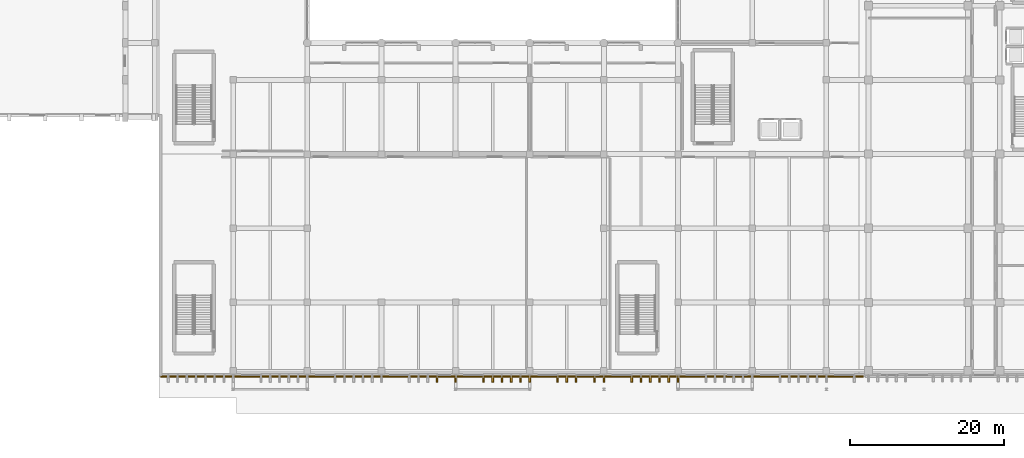
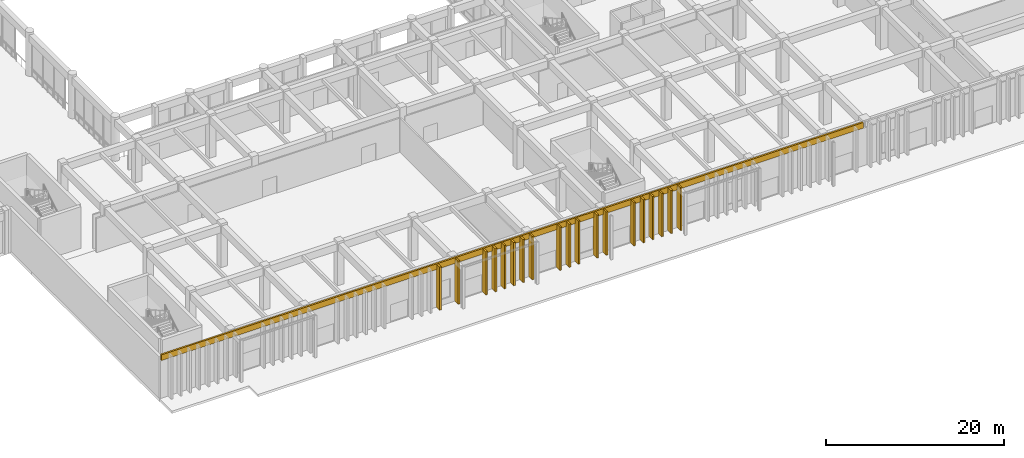
# One storey, part 64 of 87: 20 coverings, 19 shading devices.
"""IFC4 building model written with IfcOpenShell, lengths in metres."""

from ifc_helpers import new_model, si_unit, direction, frame, origin, origin_2d, place, context, subcontext, project, spatial, rectangle, extrude, material, layer, layer_set, type_object, element, save


model = new_model("IFC4")

# Units and contexts
model_context = context("Model", 3, precision=1e-05, world=origin(), true_north=direction((0.0, 1.0)))
body_context = subcontext(model_context, "Body", "Model", "MODEL_VIEW")
ifc_project = project(units=[si_unit("LENGTHUNIT", "METRE"), si_unit("AREAUNIT", "SQUARE_METRE"), si_unit("VOLUMEUNIT", "CUBIC_METRE"), si_unit("PLANEANGLEUNIT", "RADIAN"), si_unit("MASSUNIT", "GRAM", prefix="KILO")], contexts=[model_context])

# Site, building, storey
site_placement = place(None, origin())
site = spatial("IfcSite", under=ifc_project, at=site_placement, CompositionType="ELEMENT")
building_placement = place(site_placement, origin())
building = spatial("IfcBuilding", under=site, at=building_placement, Name="Nakhvara Creek Congress Hotel", CompositionType="ELEMENT")
storey_placement = place(building_placement, origin())
storey = spatial("IfcBuildingStorey", under=building, at=storey_placement, Name="L00", CompositionType="ELEMENT", Elevation=0.0)

# Coverings
ifc_material_1 = material(Name="Honed pale Omani limestone architectural cladding", Category="masonry")
ifc_layer_1 = layer(ifc_material_1, 0.219970703125)
ifc_layer_set_1 = layer_set([ifc_layer_1], Name="Honed pale Omani limestone architectural cladding")
covering_type_1 = type_object("IfcCoveringType", Name="COV-FIN-850", PredefinedType="CLADDING", material=ifc_layer_set_1)
for number, where, z_axis, x_axis, name in (
    (1, (93.60009765625, -0.304931640625, 0.0), (0.0, 0.0, 1.0), (1.0, 0.0, 0.0), "Pale Limestone Fin Cladding CF01-0065"),
    (2, (96.0, -0.304931640625, 0.0), (0.0, 0.0, 1.0), (1.0, 0.0, 0.0), "Pale Limestone Fin Cladding CF01-0066"),
    (3, (99.60009765625, -0.304931640625, 0.0), (0.0, 0.0, 1.0), (1.0, 0.0, 0.0), "Pale Limestone Fin Cladding CF01-0067"),
    (4, (100.800048828125, -0.304931640625, 0.0), (0.0, 0.0, 1.0), (1.0, 0.0, 0.0), "Pale Limestone Fin Cladding CF01-0068"),
    (5, (102.0, -0.304931640625, 0.0), (0.0, 0.0, 1.0), (1.0, 0.0, 0.0), "Pale Limestone Fin Cladding CF01-0069"),
    (6, (103.199951171875, -0.304931640625, 0.0), (0.0, 0.0, 1.0), (1.0, 0.0, 0.0), "Pale Limestone Fin Cladding CF01-0070"),
    (7, (104.39990234375, -0.304931640625, 0.0), (0.0, 0.0, 1.0), (1.0, 0.0, 0.0), "Pale Limestone Fin Cladding CF01-0071"),
    (8, (105.60009765625, -0.304931640625, 0.0), (0.0, 0.0, 1.0), (1.0, 0.0, 0.0), "Pale Limestone Fin Cladding CF01-0072"),
    (9, (109.199951171875, -0.304931640625, 0.0), (0.0, 0.0, 1.0), (1.0, 0.0, 0.0), "Pale Limestone Fin Cladding CF01-0073"),
    (10, (110.39990234375, -0.304931640625, 0.0), (0.0, 0.0, 1.0), (1.0, 0.0, 0.0), "Pale Limestone Fin Cladding CF01-0074"),
    (11, (111.60009765625, -0.304931640625, 0.0), (0.0, 0.0, 1.0), (1.0, 0.0, 0.0), "Pale Limestone Fin Cladding CF01-0075"),
    (12, (114.0, -0.304931640625, 0.0), (0.0, 0.0, 1.0), (1.0, 0.0, 0.0), "Pale Limestone Fin Cladding CF01-0076"),
    (13, (115.199951171875, -0.304931640625, 0.0), (0.0, 0.0, 1.0), (1.0, 0.0, 0.0), "Pale Limestone Fin Cladding CF01-0077"),
    (14, (118.800048828125, -0.304931640625, 0.0), (0.0, 0.0, 1.0), (1.0, 0.0, 0.0), "Pale Limestone Fin Cladding CF01-0078"),
    (15, (120.0, -0.304931640625, 0.0), (0.0, 0.0, 1.0), (1.0, 0.0, 0.0), "Pale Limestone Fin Cladding CF01-0079"),
    (16, (121.199951171875, -0.304931640625, 0.0), (0.0, 0.0, 1.0), (1.0, 0.0, 0.0), "Pale Limestone Fin Cladding CF01-0080"),
    (17, (122.39990234375, -0.304931640625, 0.0), (0.0, 0.0, 1.0), (1.0, 0.0, 0.0), "Pale Limestone Fin Cladding CF01-0081"),
    (18, (123.60009765625, -0.304931640625, 0.0), (0.0, 0.0, 1.0), (1.0, 0.0, 0.0), "Pale Limestone Fin Cladding CF01-0082"),
    (19, (124.800048828125, -0.304931640625, 0.0), (0.0, 0.0, 1.0), (1.0, 0.0, 0.0), "Pale Limestone Fin Cladding CF01-0083"),
):
    element("IfcCovering", number, at=place(storey_placement, frame(where, z_axis=z_axis, x_axis=x_axis)), inside=storey, type_object=covering_type_1, Name=name, PredefinedType="CLADDING", context=body_context, shape_type="SweptSolid", body=[
        extrude(rectangle(XDim=0.219970703125, YDim=0.85009765625, at=origin_2d()), origin(), (0.0, 0.0, 1.0), 5.919921875),
    ])
ifc_layer_2 = layer(ifc_material_1, 0.179931640625)
ifc_layer_set_2 = layer_set([ifc_layer_2], Name="Honed pale Omani limestone architectural cladding")
covering_type_2 = type_object("IfcCoveringType", Name="COV-SPN-180", PredefinedType="CLADDING", material=ifc_layer_set_2)
covering_placement = place(storey_placement, frame((103.300048828125, 0.010009765625, 5.23974609375), z_axis=(0.0, 0.0, 1.0), x_axis=(1.0, 0.0, 0.0)))
element("IfcCovering", 20, at=covering_placement, inside=storey, type_object=covering_type_2, Name="Pale Limestone Spandrel Band CF02-0003", PredefinedType="CLADDING", context=body_context, shape_type="SweptSolid", body=[
    extrude(rectangle(XDim=91.0, YDim=0.219970703125, at=origin_2d()), origin(), (0.0, 0.0, 1.0), 0.780029296875),
])

# Shading devices
ifc_material_2 = material(Name="Honed pale Omani limestone cladding on stainless steel spine", Category="masonry")
shading_device_type = type_object("IfcShadingDeviceType", Name="SHD-FIN-850X5800", PredefinedType="USERDEFINED", material=ifc_material_2)
for number, where, z_axis, x_axis, name in (
    (21, (93.60009765625, -0.304931640625, 0.0), (0.0, 0.0, 1.0), (1.0, 0.0, 0.0), "Limestone Solar Fin FN03-0065"),
    (22, (96.0, -0.304931640625, 0.0), (0.0, 0.0, 1.0), (1.0, 0.0, 0.0), "Limestone Solar Fin FN03-0066"),
    (23, (99.60009765625, -0.304931640625, 0.0), (0.0, 0.0, 1.0), (1.0, 0.0, 0.0), "Limestone Solar Fin FN03-0067"),
    (24, (100.800048828125, -0.304931640625, 0.0), (0.0, 0.0, 1.0), (1.0, 0.0, 0.0), "Limestone Solar Fin FN03-0068"),
    (25, (102.0, -0.304931640625, 0.0), (0.0, 0.0, 1.0), (1.0, 0.0, 0.0), "Limestone Solar Fin FN03-0069"),
    (26, (103.199951171875, -0.304931640625, 0.0), (0.0, 0.0, 1.0), (1.0, 0.0, 0.0), "Limestone Solar Fin FN03-0070"),
    (27, (104.39990234375, -0.304931640625, 0.0), (0.0, 0.0, 1.0), (1.0, 0.0, 0.0), "Limestone Solar Fin FN03-0071"),
    (28, (105.60009765625, -0.304931640625, 0.0), (0.0, 0.0, 1.0), (1.0, 0.0, 0.0), "Limestone Solar Fin FN03-0072"),
    (29, (109.199951171875, -0.304931640625, 0.0), (0.0, 0.0, 1.0), (1.0, 0.0, 0.0), "Limestone Solar Fin FN03-0073"),
    (30, (110.39990234375, -0.304931640625, 0.0), (0.0, 0.0, 1.0), (1.0, 0.0, 0.0), "Limestone Solar Fin FN03-0074"),
    (31, (111.60009765625, -0.304931640625, 0.0), (0.0, 0.0, 1.0), (1.0, 0.0, 0.0), "Limestone Solar Fin FN03-0075"),
    (32, (114.0, -0.304931640625, 0.0), (0.0, 0.0, 1.0), (1.0, 0.0, 0.0), "Limestone Solar Fin FN03-0076"),
    (33, (115.199951171875, -0.304931640625, 0.0), (0.0, 0.0, 1.0), (1.0, 0.0, 0.0), "Limestone Solar Fin FN03-0077"),
    (34, (118.800048828125, -0.304931640625, 0.0), (0.0, 0.0, 1.0), (1.0, 0.0, 0.0), "Limestone Solar Fin FN03-0078"),
    (35, (120.0, -0.304931640625, 0.0), (0.0, 0.0, 1.0), (1.0, 0.0, 0.0), "Limestone Solar Fin FN03-0079"),
    (36, (121.199951171875, -0.304931640625, 0.0), (0.0, 0.0, 1.0), (1.0, 0.0, 0.0), "Limestone Solar Fin FN03-0080"),
    (37, (122.39990234375, -0.304931640625, 0.0), (0.0, 0.0, 1.0), (1.0, 0.0, 0.0), "Limestone Solar Fin FN03-0081"),
    (38, (123.60009765625, -0.304931640625, 0.0), (0.0, 0.0, 1.0), (1.0, 0.0, 0.0), "Limestone Solar Fin FN03-0082"),
    (39, (124.800048828125, -0.304931640625, 0.0), (0.0, 0.0, 1.0), (1.0, 0.0, 0.0), "Limestone Solar Fin FN03-0083"),
):
    element("IfcShadingDevice", number, at=place(storey_placement, frame(where, z_axis=z_axis, x_axis=x_axis)), inside=storey, type_object=shading_device_type, Name=name, ObjectType="FIN", PredefinedType="USERDEFINED", context=body_context, shape_type="SweptSolid", body=[
        extrude(rectangle(XDim=0.219970703125, YDim=0.85009765625, at=origin_2d()), origin(), (0.0, 0.0, 1.0), 5.919921875),
    ])

save(model, "model.ifc")
